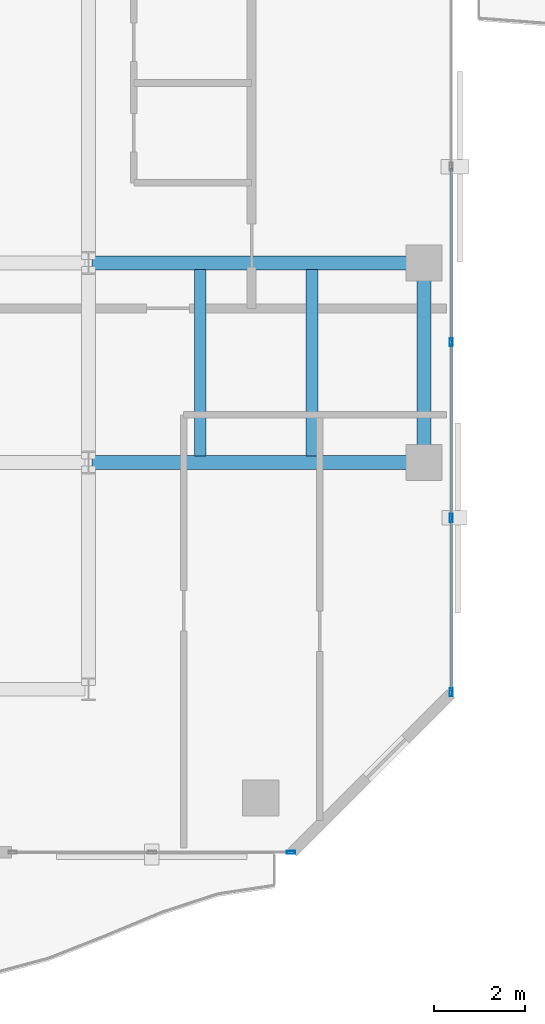
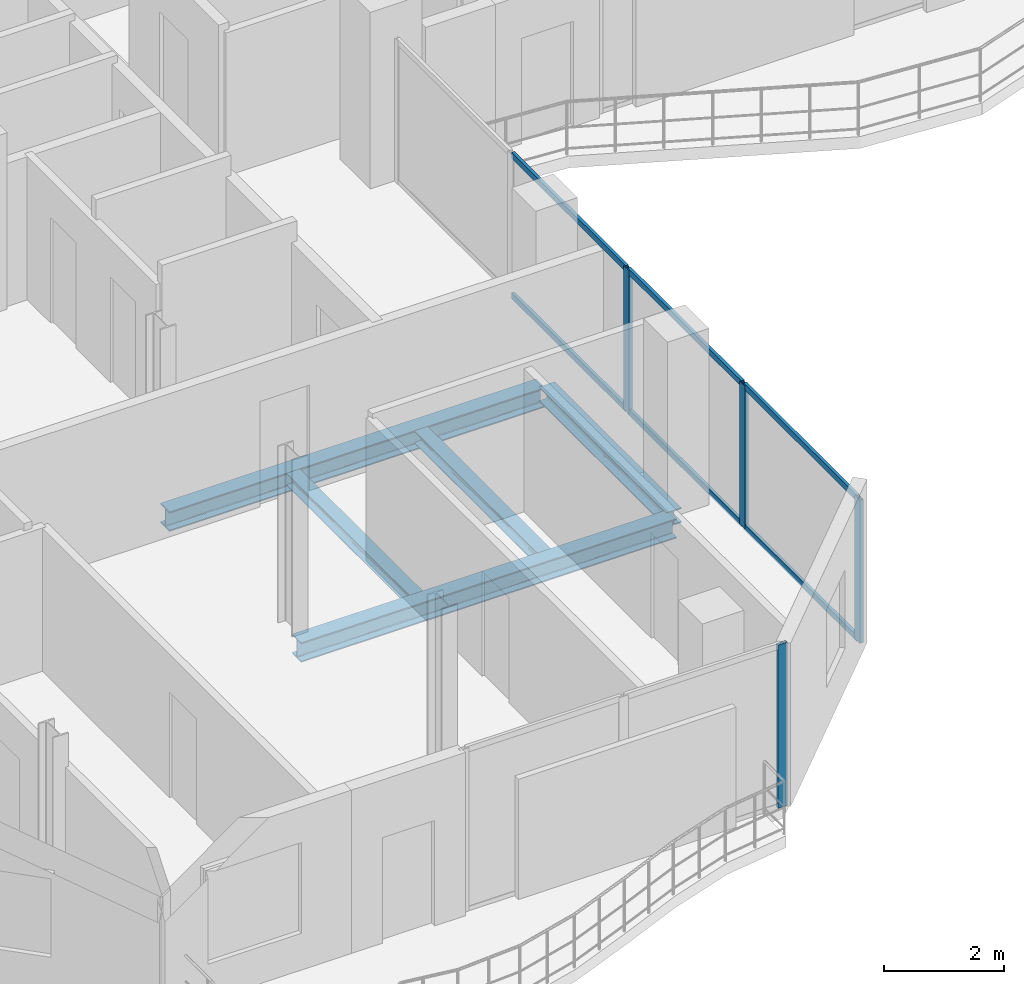
# One storey, part 6 of 23: 10 members, 5 beams, 2 elements without a shape of their own.
"""IFC4 building model written with IfcOpenShell, lengths in metres."""

from ifc_helpers import new_model, si_unit, direction, frame, origin, origin_2d, place, context, subcontext, project, spatial, hollow_rectangle, i_section, extrude, material, layer, layer_set, material_profile, profile_set, type_object, element, aggregate, save


model = new_model("IFC4")

# Units and contexts
model_context = context("Model", 3, precision=1e-05, world=origin(), true_north=direction((0.0, 1.0)))
body_context = subcontext(model_context, "Body", "Model", "MODEL_VIEW")
ifc_project = project(units=[si_unit("LENGTHUNIT", "METRE"), si_unit("AREAUNIT", "SQUARE_METRE"), si_unit("VOLUMEUNIT", "CUBIC_METRE"), si_unit("PLANEANGLEUNIT", "RADIAN"), si_unit("MASSUNIT", "GRAM", prefix="KILO")], contexts=[model_context])

# Site, building, storey
site_placement = place(None, origin())
site = spatial("IfcSite", under=ifc_project, at=site_placement, CompositionType="ELEMENT")
building_placement = place(site_placement, origin())
building = spatial("IfcBuilding", under=site, at=building_placement, Name="Catumbela Crestline Tower", CompositionType="ELEMENT")
storey_placement = place(building_placement, frame((0.0, 0.0, 179.4)))
storey = spatial("IfcBuildingStorey", under=building, at=storey_placement, Name="L46", CompositionType="ELEMENT", Elevation=179.4)

# Beams
ifc_material_1 = material(Name="Structural steel S355J2", Category="steel")
ifc_material_profile_1 = material_profile(ifc_material_1, i_section(OverallWidth=0.3, OverallDepth=0.4, WebThickness=0.0135, FlangeThickness=0.024, FilletRadius=0.027, at=origin_2d()), Name="HEB 400")
ifc_profile_set_1 = profile_set([ifc_material_profile_1], Name="Structural steel S355J2")
beam_type_1 = type_object("IfcBeamType", Name="BG-HEB400", PredefinedType="BEAM", material=ifc_profile_set_1)
for number, where, z_axis, x_axis, name in (
    (1, (16.08, 13.6, -0.46), (1.0, 0.0, 0.0), (0.0, 1.0, 0.0), "L46 Beam BM-L46-WEW34"),
    (2, (16.08, 18.0, -0.46), (1.0, 0.0, 0.0), (0.0, 1.0, 0.0), "L46 Beam BM-L46-WEW36"),
):
    element("IfcBeam", number, at=place(storey_placement, frame(where, z_axis=z_axis, x_axis=x_axis)), inside=storey, type_object=beam_type_1, Name=name, PredefinedType="BEAM", context=body_context, shape_type="SweptSolid", body=[
        extrude(i_section(OverallWidth=0.3, OverallDepth=0.4, WebThickness=0.0135, FlangeThickness=0.024, FilletRadius=0.027, at=origin_2d()), origin(), (0.0, 0.0, 1.0), 7.24),
    ])
ifc_material_profile_2 = material_profile(ifc_material_1, i_section(OverallWidth=0.26, OverallDepth=0.25, WebThickness=0.0075, FlangeThickness=0.0125, FilletRadius=0.024, at=origin_2d()), Name="HEA 260")
ifc_profile_set_2 = profile_set([ifc_material_profile_2], Name="Structural steel S355J2")
beam_type_2 = type_object("IfcBeamType", Name="BJ-HEA260", PredefinedType="JOIST", material=ifc_profile_set_2)
for number, where, z_axis, x_axis, name in (
    (3, (18.467, 13.747, -0.385), (0.0, 1.0, 0.0), (-1.0, 0.0, 0.0), "L46 Joist JS-L46-WG48"),
    (4, (20.933, 13.747, -0.385), (0.0, 1.0, 0.0), (-1.0, 0.0, 0.0), "L46 Joist JS-L46-WG49"),
):
    element("IfcBeam", number, at=place(storey_placement, frame(where, z_axis=z_axis, x_axis=x_axis)), inside=storey, type_object=beam_type_2, Name=name, PredefinedType="JOIST", context=body_context, shape_type="SweptSolid", body=[
        extrude(i_section(OverallWidth=0.26, OverallDepth=0.25, WebThickness=0.0075, FlangeThickness=0.0125, FilletRadius=0.024, at=origin_2d()), origin(), (0.0, 0.0, 1.0), 4.106),
    ])

# Curtain wall, member
ifc_material_2 = material(Name="Aluminium alloy AW-6060-T66", Category="aluminium")
ifc_layer = layer(ifc_material_2, 0.18, Name="Aluminium alloy AW-6060-T66")
ifc_layer_set = layer_set([ifc_layer], Name="Aluminium alloy AW-6060-T66")
curtain_wall_type = type_object("IfcCurtainWallType", Name="CWU-Z3", PredefinedType="USERDEFINED", material=ifc_layer_set)
curtain_wall_1_placement = place(storey_placement, origin())
curtain_wall_1 = element("IfcCurtainWall", 5, at=curtain_wall_1_placement, inside=storey, type_object=curtain_wall_type, Name="L46 Unitised Curtain Wall CW-L46-E0S2", ObjectType="UNITISED", PredefinedType="USERDEFINED")
ifc_material_profile_3 = material_profile(ifc_material_2, hollow_rectangle(XDim=0.065, YDim=0.18, WallThickness=0.004, at=origin_2d()), Name="ALU 180x65x4")
ifc_profile_set_3 = profile_set([ifc_material_profile_3], Name="Aluminium alloy AW-6060-T66")
member_type_1 = type_object("IfcMemberType", Name="MUL-180X65", PredefinedType="MULLION", material=ifc_profile_set_3)
member_1_placement = place(storey_placement, frame((20.4675, 5.0, 0.0), z_axis=(0.0, 0.0, 1.0), x_axis=(0.0, 1.0, 0.0)))
member_1 = element("IfcMember", 6, at=member_1_placement, type_object=member_type_1, Name="CWU-Z3 mullion 3", PredefinedType="MULLION", context=body_context, shape_type="SweptSolid", body=[
    extrude(hollow_rectangle(XDim=0.065, YDim=0.18, WallThickness=0.004, at=origin_2d()), origin(), (0.0, 0.0, 1.0), 3.33),
])
aggregate(curtain_wall_1, [member_1])

# Curtain wall, members
curtain_wall_2_placement = place(storey_placement, origin())
curtain_wall_2 = element("IfcCurtainWall", 7, at=curtain_wall_2_placement, inside=storey, type_object=curtain_wall_type, Name="L46 Unitised Curtain Wall CW-L46-E2S1", ObjectType="UNITISED", PredefinedType="USERDEFINED")
member_2_placement = place(storey_placement, frame((24.0, 8.5325, 0.0), z_axis=(0.0, 0.0, 1.0), x_axis=(-1.0, 0.0, 0.0)))
member_2 = element("IfcMember", 8, at=member_2_placement, type_object=member_type_1, Name="CWU-Z3 mullion 1", PredefinedType="MULLION", context=body_context, shape_type="SweptSolid", body=[
    extrude(hollow_rectangle(XDim=0.065, YDim=0.18, WallThickness=0.004, at=origin_2d()), origin(), (0.0, 0.0, 1.0), 2.92),
])
member_3_placement = place(storey_placement, frame((24.0, 12.375, 0.0), z_axis=(0.0, 0.0, 1.0), x_axis=(-1.0, 0.0, 0.0)))
member_3 = element("IfcMember", 9, at=member_3_placement, type_object=member_type_1, Name="CWU-Z3 mullion 2", PredefinedType="MULLION", context=body_context, shape_type="SweptSolid", body=[
    extrude(hollow_rectangle(XDim=0.065, YDim=0.18, WallThickness=0.004, at=origin_2d()), origin(), (0.0, 0.0, 1.0), 2.92),
])
member_4_placement = place(storey_placement, frame((24.0, 16.25, 0.0), z_axis=(0.0, 0.0, 1.0), x_axis=(-1.0, 0.0, 0.0)))
member_4 = element("IfcMember", 10, at=member_4_placement, type_object=member_type_1, Name="CWU-Z3 mullion 3", PredefinedType="MULLION", context=body_context, shape_type="SweptSolid", body=[
    extrude(hollow_rectangle(XDim=0.065, YDim=0.18, WallThickness=0.004, at=origin_2d()), origin(), (0.0, 0.0, 1.0), 2.92),
])

# Beam
ifc_material_profile_4 = material_profile(ifc_material_1, i_section(OverallWidth=0.3, OverallDepth=0.3, WebThickness=0.011, FlangeThickness=0.019, FilletRadius=0.027, at=origin_2d()), Name="HEB 300")
ifc_profile_set_4 = profile_set([ifc_material_profile_4], Name="Structural steel S355J2")
beam_type_3 = type_object("IfcBeamType", Name="BS-HEB300", PredefinedType="SPANDREL", material=ifc_profile_set_4)
beam_placement = place(storey_placement, frame((23.4, 13.68, -0.41), z_axis=(0.0, 1.0, 0.0), x_axis=(-1.0, 0.0, 0.0)))
element("IfcBeam", 11, at=beam_placement, inside=storey, type_object=beam_type_3, Name="L46 Spandrel SP-L46-WNS43", PredefinedType="SPANDREL", context=body_context, shape_type="SweptSolid", body=[
    extrude(i_section(OverallWidth=0.3, OverallDepth=0.3, WebThickness=0.011, FlangeThickness=0.019, FilletRadius=0.027, at=origin_2d()), origin(), (0.0, 0.0, 1.0), 4.24),
])

# Member
ifc_material_profile_5 = material_profile(ifc_material_2, hollow_rectangle(XDim=0.06, YDim=0.12, WallThickness=0.0035, at=origin_2d()), Name="ALU 120x60x3.5")
ifc_profile_set_5 = profile_set([ifc_material_profile_5], Name="Aluminium alloy AW-6060-T66")
member_type_2 = type_object("IfcMemberType", Name="TRN-120X60", PredefinedType="USERDEFINED", material=ifc_profile_set_5)
member_5_placement = place(storey_placement, frame((24.0, 8.565, 0.03), z_axis=(0.0, 1.0, 0.0), x_axis=(-1.0, 0.0, 0.0)))
member_5 = element("IfcMember", 12, at=member_5_placement, type_object=member_type_2, Name="CWU-Z3 transom 1.1", ObjectType="TRANSOM", PredefinedType="USERDEFINED", context=body_context, shape_type="SweptSolid", body=[
    extrude(hollow_rectangle(XDim=0.06, YDim=0.12, WallThickness=0.0035, at=origin_2d()), origin(), (0.0, 0.0, 1.0), 3.7775),
])

member_6_placement = place(storey_placement, frame((24.0, 8.565, 2.89), z_axis=(0.0, 1.0, 0.0), x_axis=(-1.0, 0.0, 0.0)))
member_6 = element("IfcMember", 13, at=member_6_placement, type_object=member_type_2, Name="CWU-Z3 transom 1.2", ObjectType="TRANSOM", PredefinedType="USERDEFINED", context=body_context, shape_type="SweptSolid", body=[
    extrude(hollow_rectangle(XDim=0.06, YDim=0.12, WallThickness=0.0035, at=origin_2d()), origin(), (0.0, 0.0, 1.0), 3.7775),
])

member_7_placement = place(storey_placement, frame((24.0, 12.4075, 0.03), z_axis=(0.0, 1.0, 0.0), x_axis=(-1.0, 0.0, 0.0)))
member_7 = element("IfcMember", 14, at=member_7_placement, type_object=member_type_2, Name="CWU-Z3 transom 2.1", ObjectType="TRANSOM", PredefinedType="USERDEFINED", context=body_context, shape_type="SweptSolid", body=[
    extrude(hollow_rectangle(XDim=0.06, YDim=0.12, WallThickness=0.0035, at=origin_2d()), origin(), (0.0, 0.0, 1.0), 3.81),
])

member_8_placement = place(storey_placement, frame((24.0, 12.4075, 2.89), z_axis=(0.0, 1.0, 0.0), x_axis=(-1.0, 0.0, 0.0)))
member_8 = element("IfcMember", 15, at=member_8_placement, type_object=member_type_2, Name="CWU-Z3 transom 2.2", ObjectType="TRANSOM", PredefinedType="USERDEFINED", context=body_context, shape_type="SweptSolid", body=[
    extrude(hollow_rectangle(XDim=0.06, YDim=0.12, WallThickness=0.0035, at=origin_2d()), origin(), (0.0, 0.0, 1.0), 3.81),
])

member_9_placement = place(storey_placement, frame((24.0, 16.2825, 0.03), z_axis=(0.0, 1.0, 0.0), x_axis=(-1.0, 0.0, 0.0)))
member_9 = element("IfcMember", 16, at=member_9_placement, type_object=member_type_2, Name="CWU-Z3 transom 3.1", ObjectType="TRANSOM", PredefinedType="USERDEFINED", context=body_context, shape_type="SweptSolid", body=[
    extrude(hollow_rectangle(XDim=0.06, YDim=0.12, WallThickness=0.0035, at=origin_2d()), origin(), (0.0, 0.0, 1.0), 3.81),
])

member_10_placement = place(storey_placement, frame((24.0, 16.2825, 2.89), z_axis=(0.0, 1.0, 0.0), x_axis=(-1.0, 0.0, 0.0)))
member_10 = element("IfcMember", 17, at=member_10_placement, type_object=member_type_2, Name="CWU-Z3 transom 3.2", ObjectType="TRANSOM", PredefinedType="USERDEFINED", context=body_context, shape_type="SweptSolid", body=[
    extrude(hollow_rectangle(XDim=0.06, YDim=0.12, WallThickness=0.0035, at=origin_2d()), origin(), (0.0, 0.0, 1.0), 3.81),
])

aggregate(curtain_wall_2, [member_2, member_3, member_4, member_5, member_6, member_7, member_8, member_9, member_10])

save(model, "model.ifc")
